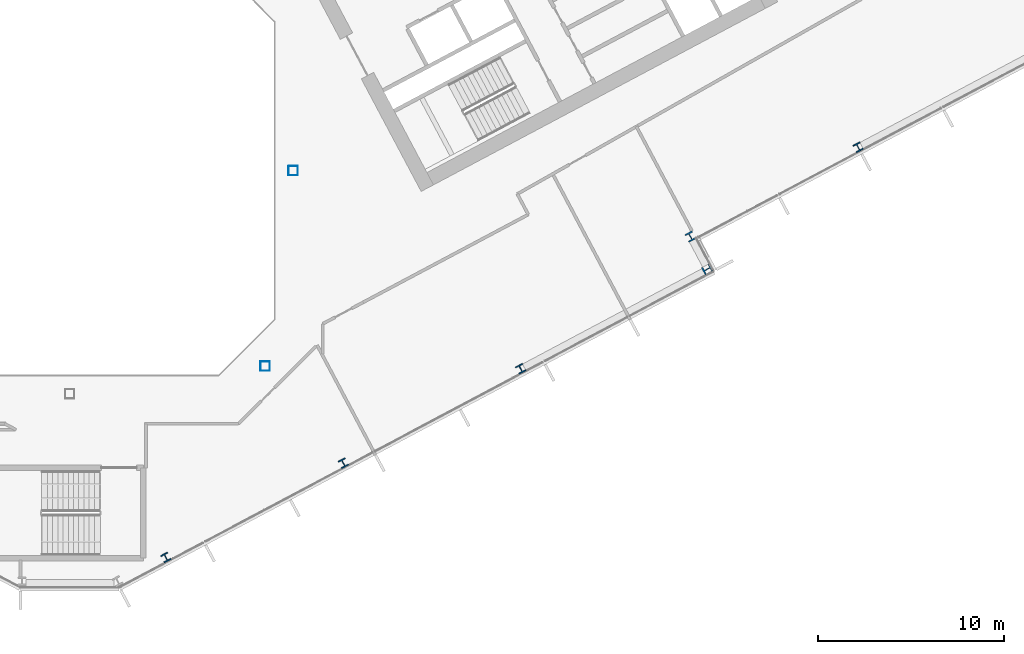
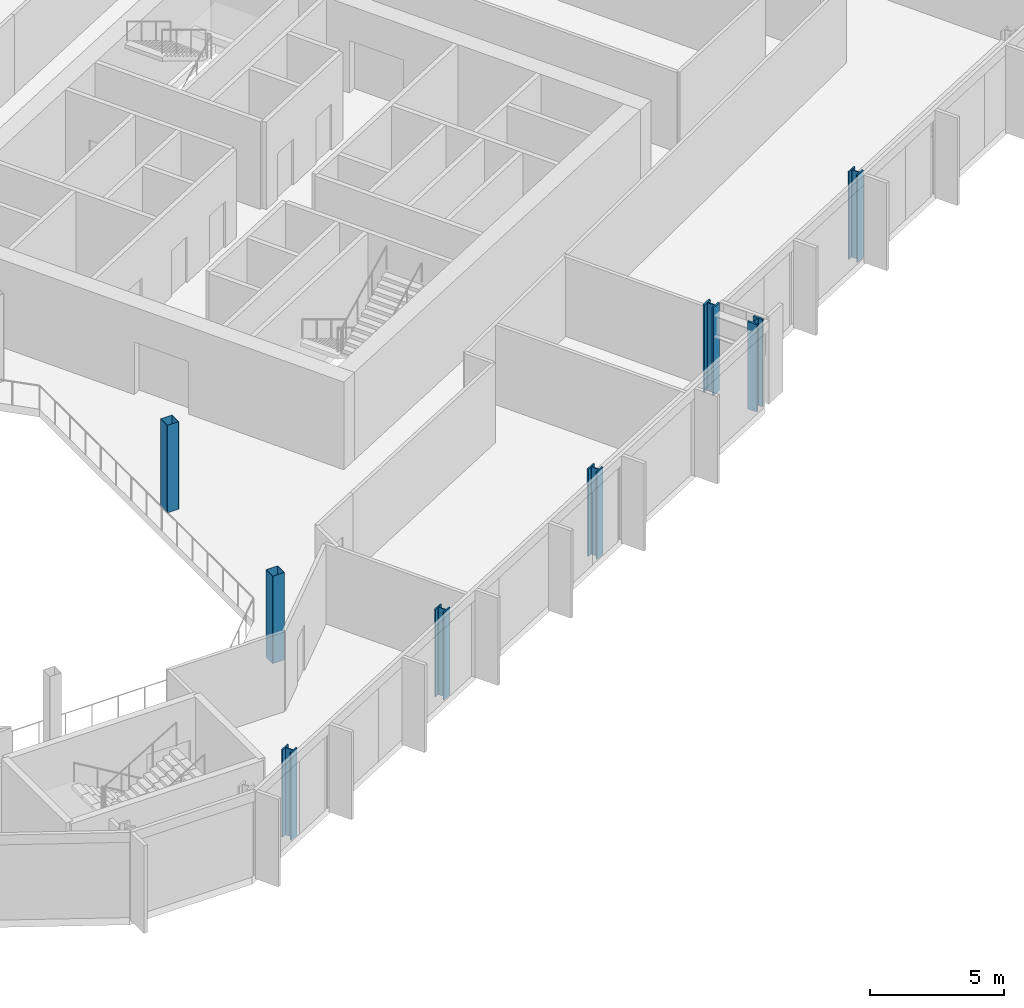
# One storey, part 5 of 28: 8 columns.
"""IFC4 building model written with IfcOpenShell, lengths in metres."""

from ifc_helpers import new_model, si_unit, direction, frame, origin, origin_2d, place, context, subcontext, project, spatial, hollow_rectangle, i_section, extrude, material, material_profile, profile_set, type_object, element, save


model = new_model("IFC4")

# Units and contexts
model_context = context("Model", 3, precision=1e-05, world=origin(), true_north=direction((0.0, 1.0)))
body_context = subcontext(model_context, "Body", "Model", "MODEL_VIEW")
ifc_project = project(units=[si_unit("LENGTHUNIT", "METRE"), si_unit("AREAUNIT", "SQUARE_METRE"), si_unit("VOLUMEUNIT", "CUBIC_METRE"), si_unit("PLANEANGLEUNIT", "RADIAN"), si_unit("MASSUNIT", "GRAM", prefix="KILO")], contexts=[model_context])

# Site, building, storey
site_placement = place(None, origin())
site = spatial("IfcSite", under=ifc_project, at=site_placement, CompositionType="ELEMENT")
building_placement = place(site_placement, origin())
building = spatial("IfcBuilding", under=site, at=building_placement, Name="Cormorant Relay Tower", CompositionType="ELEMENT")
storey_placement = place(building_placement, frame((0.0, 0.0, 146.199951171875)))
storey = spatial("IfcBuildingStorey", under=building, at=storey_placement, Name="L30", CompositionType="ELEMENT", Elevation=146.199951171875)

# Columns
ifc_material_1 = material(Name="Steel ASTM A500 Grade C (Fy 345 MPa)", Category="steel")
ifc_material_profile_1 = material_profile(ifc_material_1, hollow_rectangle(XDim=0.508056640625, YDim=0.508056640625, WallThickness=0.01171875, InnerFilletRadius=0.005859375, OuterFilletRadius=0.017822265625, at=origin_2d()), Name="HSS508x508x12")
ifc_profile_set_1 = profile_set([ifc_material_profile_1], Name="Steel ASTM A500 Grade C (Fy 345 MPa)")
column_type_1 = type_object("IfcColumnType", Name="Column HSS508x508x12", PredefinedType="COLUMN", material=ifc_profile_set_1)
for number, where, z_axis, x_axis, name in (
    (1, (10.5, -10.5, 0.0), (0.0, 0.0, 1.0), (1.0, 0.0, 0.0), "Column L30-010"),
    (2, (12.0, 0.0, 0.0), (0.0, 0.0, 1.0), (1.0, 0.0, 0.0), "Column L30-016"),
):
    element("IfcColumn", number, at=place(storey_placement, frame(where, z_axis=z_axis, x_axis=x_axis)), inside=storey, type_object=column_type_1, Name=name, PredefinedType="COLUMN", context=body_context, shape_type="SweptSolid", body=[
        extrude(hollow_rectangle(XDim=0.508056640625, YDim=0.508056640625, WallThickness=0.01171875, InnerFilletRadius=0.005859375, OuterFilletRadius=0.017822265625, at=origin_2d()), origin(), (0.0, 0.0, 1.0), 4.0),
    ])
ifc_material_2 = material(Name="Steel ASTM A992 (Fy 345 MPa)", Category="steel")
ifc_material_profile_2 = material_profile(ifc_material_2, i_section(OverallWidth=0.41162109375, OverallDepth=0.434326171875, WebThickness=0.035888671875, FlangeThickness=0.057373046875, FilletRadius=0.01513671875, at=origin_2d()), Name="W360x463")
ifc_profile_set_2 = profile_set([ifc_material_profile_2], Name="Steel ASTM A992 (Fy 345 MPa)")
column_type_2 = type_object("IfcColumnType", Name="Column W360x463", PredefinedType="COLUMN", material=ifc_profile_set_2)
for number, where, z_axis, x_axis, name in (
    (3, (5.1640625, -20.7890625, 0.0), (0.0, 0.0, 1.0), (0.882947592859, 0.469471562786, 0.0), "Column L30-003"),
    (4, (14.699951171875, -15.718994140625, 0.0), (0.0, 0.0, 1.0), (0.882947592859, 0.469471562786, 0.0), "Column L30-005"),
    (5, (24.236083984375, -10.64794921875, 0.0), (0.0, 0.0, 1.0), (0.882947592859, 0.469471562786, 0.0), "Column L30-008"),
    (6, (42.368896484375, 1.258056640625, 0.0), (0.0, 0.0, 1.0), (0.882947592859, 0.469471562786, 0.0), "Column L30-017"),
):
    element("IfcColumn", number, at=place(storey_placement, frame(where, z_axis=z_axis, x_axis=x_axis)), inside=storey, type_object=column_type_2, Name=name, PredefinedType="COLUMN", context=body_context, shape_type="SweptSolid", body=[
        extrude(i_section(OverallWidth=0.41162109375, OverallDepth=0.434326171875, WebThickness=0.035888671875, FlangeThickness=0.057373046875, FilletRadius=0.01513671875, at=origin_2d()), origin(), (0.0, 0.0, 1.0), 4.0),
    ])
ifc_material_3 = material(Name="Steel ASTM A992 (Fy 345 MPa)", Category="steel")
ifc_material_profile_3 = material_profile(ifc_material_3, i_section(OverallWidth=0.42431640625, OverallDepth=0.47509765625, WebThickness=0.0478515625, FlangeThickness=0.0771484375, FilletRadius=0.014892578125, at=origin_2d()), Name="W360x634")
ifc_profile_set_3 = profile_set([ifc_material_profile_3], Name="Steel ASTM A992 (Fy 345 MPa)")
column_type_3 = type_object("IfcColumnType", Name="Column W360x634", PredefinedType="COLUMN", material=ifc_profile_set_3)
for number, where, z_axis, x_axis, name in (
    (7, (34.256103515625, -5.297119140625, 0.0), (0.0, 0.0, 1.0), (-0.469471562786, 0.882947592859, 0.0), "Column L30-012"),
    (8, (33.35595703125, -3.54296875, 0.0), (0.0, 0.0, 1.0), (0.882947592859, 0.469471562786, 0.0), "Column L30-014"),
):
    element("IfcColumn", number, at=place(storey_placement, frame(where, z_axis=z_axis, x_axis=x_axis)), inside=storey, type_object=column_type_3, Name=name, PredefinedType="COLUMN", context=body_context, shape_type="SweptSolid", body=[
        extrude(i_section(OverallWidth=0.42431640625, OverallDepth=0.47509765625, WebThickness=0.0478515625, FlangeThickness=0.0771484375, FilletRadius=0.014892578125, at=origin_2d()), origin(), (0.0, 0.0, 1.0), 4.0),
    ])

save(model, "model.ifc")
